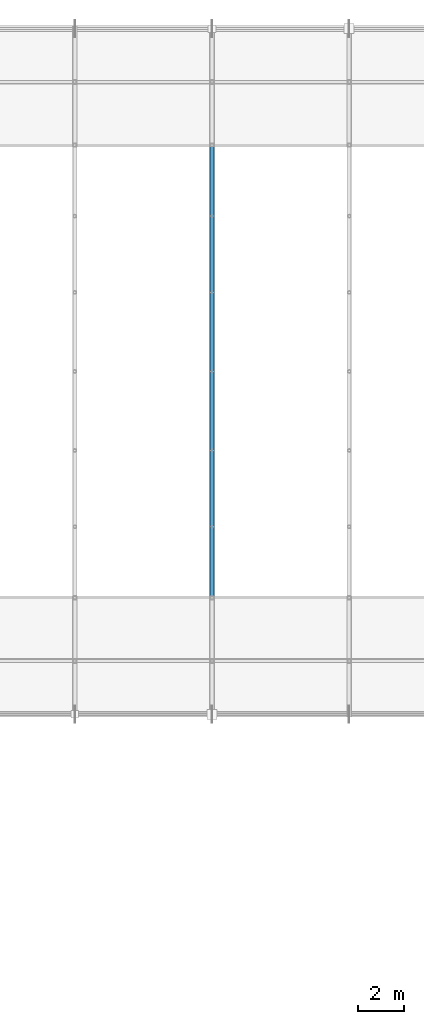
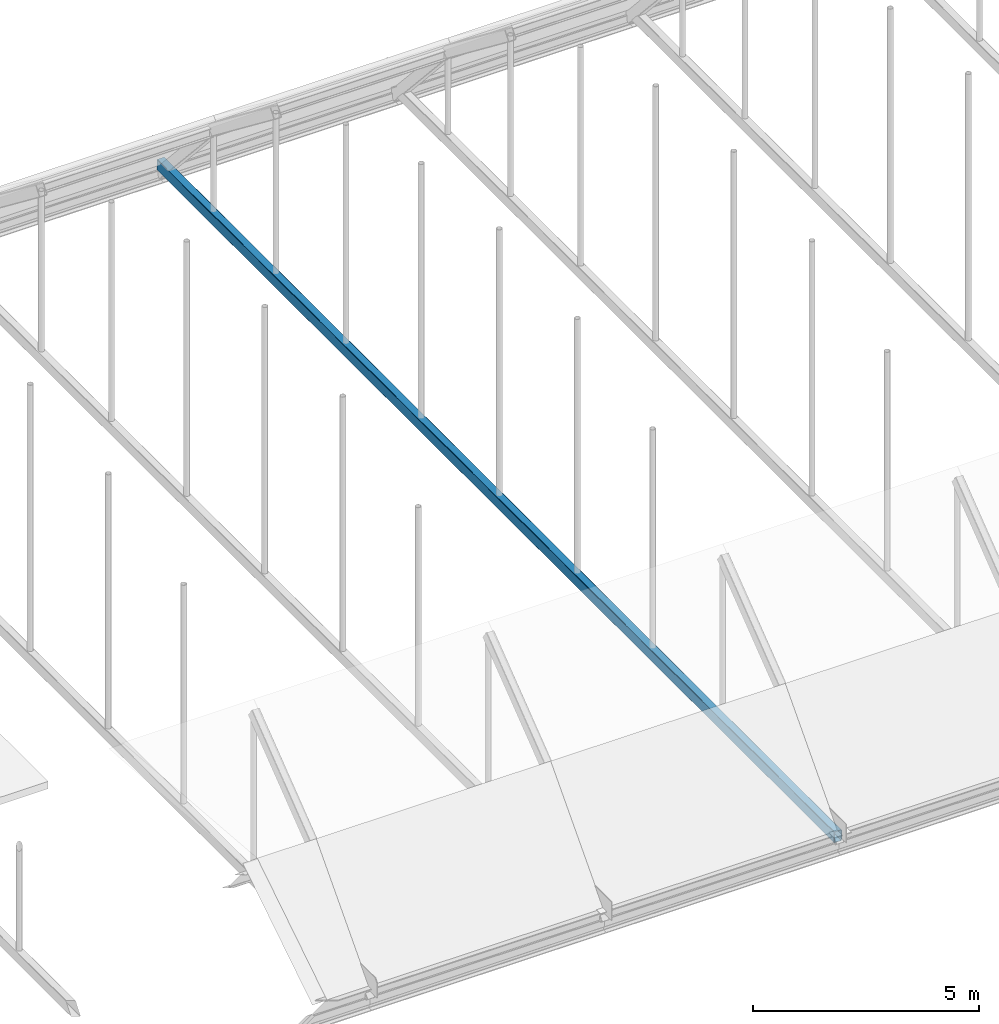
# One storey, part 29 of 63: 1 member.
"""IFC4 building model written with IfcOpenShell, lengths in metres."""

from ifc_helpers import new_model, si_unit, direction, frame, origin, origin_2d, place, context, subcontext, project, spatial, hollow_rectangle, extrude, material, material_profile, profile_set, type_object, element, save


model = new_model("IFC4")

# Units and contexts
model_context = context("Model", 3, precision=1e-05, world=origin(), true_north=direction((0.0, 1.0)))
body_context = subcontext(model_context, "Body", "Model", "MODEL_VIEW")
ifc_project = project(units=[si_unit("LENGTHUNIT", "METRE"), si_unit("AREAUNIT", "SQUARE_METRE"), si_unit("VOLUMEUNIT", "CUBIC_METRE"), si_unit("PLANEANGLEUNIT", "RADIAN"), si_unit("MASSUNIT", "GRAM", prefix="KILO")], contexts=[model_context])

# Site, building, storey
site_placement = place(None, origin())
site = spatial("IfcSite", under=ifc_project, at=site_placement, CompositionType="ELEMENT")
building_placement = place(site_placement, origin())
building = spatial("IfcBuilding", under=site, at=building_placement, Name="Varnakota Square Police Headquarters", CompositionType="ELEMENT")
storey_placement = place(building_placement, frame((0.0, 0.0, 22.199951171875)))
storey = spatial("IfcBuildingStorey", under=building, at=storey_placement, Name="L05", CompositionType="ELEMENT", Elevation=22.199951171875)

# Member
ifc_material = material(Name="Steel IS 2062 Grade 350", Category="steel")
ifc_material_profile = material_profile(ifc_material, hollow_rectangle(XDim=0.199951171875, YDim=0.300048828125, WallThickness=0.011962890625, InnerFilletRadius=0.011962890625, OuterFilletRadius=0.02392578125, at=origin_2d()), Name="RHS 300x200x12")
ifc_profile_set = profile_set([ifc_material_profile], Name="Steel IS 2062 Grade 350")
member_type = type_object("IfcMemberType", Name="MEM-TIE-RHS300", PredefinedType="CHORD", material=ifc_profile_set)
member_placement = place(storey_placement, frame((78.0, 69.0, -0.14990234375), z_axis=(0.0, 1.0, 0.0), x_axis=(-1.0, 0.0, 0.0)))
element("IfcMember", 1, at=member_placement, inside=storey, type_object=member_type, Name="Barrel vault tie rod V2-R04", PredefinedType="CHORD", context=body_context, shape_type="SweptSolid", body=[
    extrude(hollow_rectangle(XDim=0.199951171875, YDim=0.300048828125, WallThickness=0.011962890625, InnerFilletRadius=0.011962890625, OuterFilletRadius=0.02392578125, at=origin_2d()), origin(), (0.0, 0.0, 1.0), 30.0),
])

save(model, "model.ifc")
